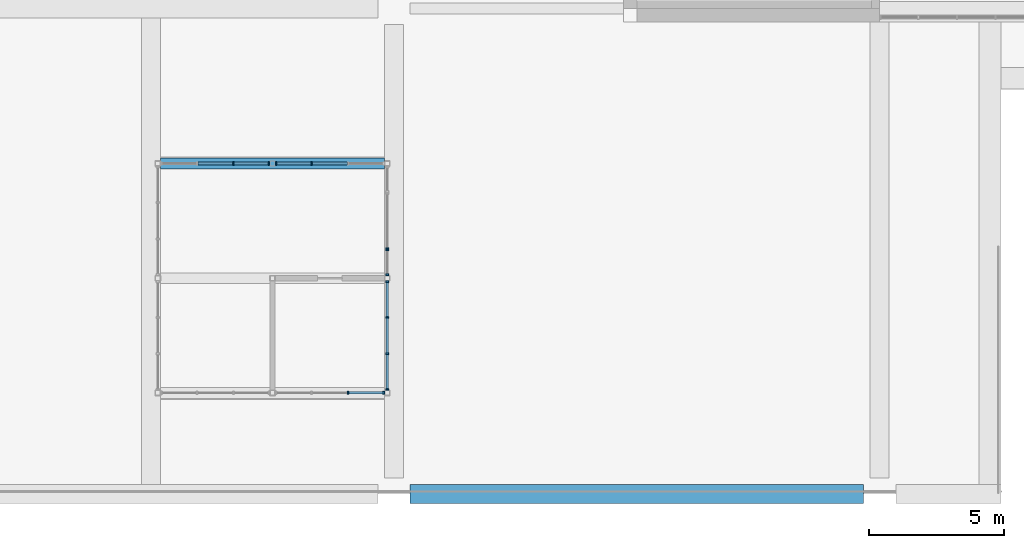
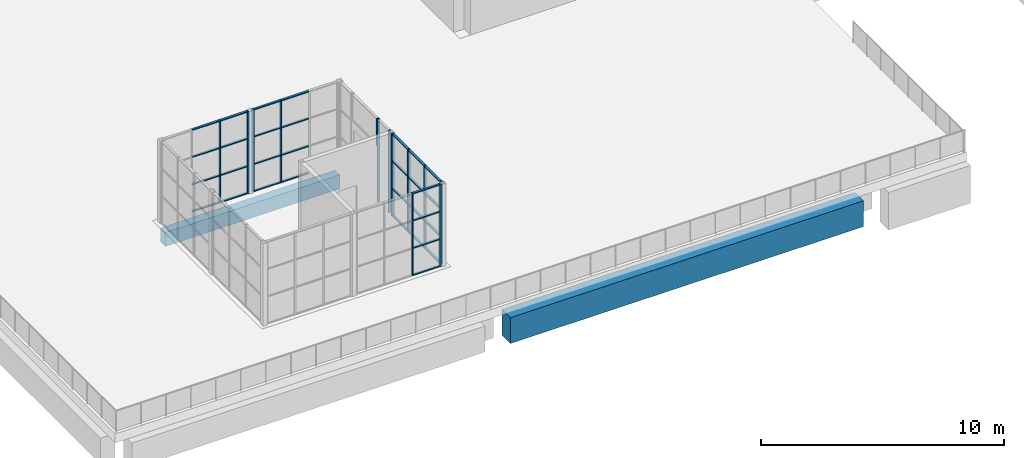
# One storey, part 14 of 168: 45 members, 2 beams, 6 elements without a shape of their own.
"""IFC4 building model written with IfcOpenShell, lengths in metres."""

from ifc_helpers import new_model, si_unit, direction, frame, origin, origin_2d, place, context, subcontext, project, spatial, rectangle, extrude, material, material_profile, profile_set, type_object, element, aggregate, save


model = new_model("IFC4")

# Units and contexts
model_context = context("Model", 3, precision=1e-05, world=origin(), true_north=direction((0.0, 1.0)))
body_context = subcontext(model_context, "Body", "Model", "MODEL_VIEW")
ifc_project = project(units=[si_unit("LENGTHUNIT", "METRE"), si_unit("AREAUNIT", "SQUARE_METRE"), si_unit("VOLUMEUNIT", "CUBIC_METRE"), si_unit("PLANEANGLEUNIT", "RADIAN"), si_unit("MASSUNIT", "GRAM", prefix="KILO")], contexts=[model_context])

# Site, building, storey
site_placement = place(None, origin())
site = spatial("IfcSite", under=ifc_project, at=site_placement, CompositionType="ELEMENT")
building_placement = place(site_placement, origin())
building = spatial("IfcBuilding", under=site, at=building_placement, Name="Silverbay Arena", CompositionType="ELEMENT")
storey_placement = place(building_placement, frame((0.0, 0.0, 7.0)))
storey = spatial("IfcBuildingStorey", under=building, at=storey_placement, Name="L01", CompositionType="ELEMENT", Elevation=7.0)

# Curtain wall, members
ifc_material_1 = material(Name="Aluminium framed curtain wall", Category="aluminium")
curtain_wall_type_1 = type_object("IfcCurtainWallType", Name="Curtain wall 4050 x 4150", PredefinedType="NOTDEFINED", material=ifc_material_1)
curtain_wall_1_placement = place(storey_placement, origin())
curtain_wall_1 = element("IfcCurtainWall", 1, at=curtain_wall_1_placement, inside=storey, type_object=curtain_wall_type_1, Name="Pavilion south curtain wall 2", PredefinedType="NOTDEFINED")
ifc_material_2 = material(Name="Aluminium", Category="aluminium")
ifc_material_profile_1 = material_profile(ifc_material_2, rectangle(XDim=0.1201171875, YDim=0.06005859375, at=origin_2d()), Name="Mullion 60 x 120")
ifc_profile_set_1 = profile_set([ifc_material_profile_1], Name="Aluminium")
member_type_1 = type_object("IfcMemberType", Name="Mullion 60 x 120", PredefinedType="MULLION", material=ifc_profile_set_1)
member_1_placement = place(storey_placement, frame((16.300048828125, 3.75, 0.0), z_axis=(0.0, 0.0, 1.0), x_axis=(0.0, 1.0, 0.0)))
member_1 = element("IfcMember", 2, at=member_1_placement, type_object=member_type_1, Name="CW21 mullion 3", PredefinedType="MULLION", context=body_context, shape_type="SweptSolid", body=[
    extrude(rectangle(XDim=0.1201171875, YDim=0.06005859375, at=origin_2d()), origin(), (0.0, 0.0, 1.0), 4.14990234375),
])
member_2_placement = place(storey_placement, frame((17.6201171875, 3.75, 0.0), z_axis=(0.0, 0.0, 1.0), x_axis=(0.0, 1.0, 0.0)))
member_2 = element("IfcMember", 3, at=member_2_placement, type_object=member_type_1, Name="CW21 mullion 4", PredefinedType="MULLION", context=body_context, shape_type="SweptSolid", body=[
    extrude(rectangle(XDim=0.1201171875, YDim=0.06005859375, at=origin_2d()), origin(), (0.0, 0.0, 1.0), 4.14990234375),
])

curtain_wall_2_placement = place(storey_placement, origin())
curtain_wall_2 = element("IfcCurtainWall", 4, at=curtain_wall_2_placement, inside=storey, type_object=curtain_wall_type_1, Name="Pavilion north curtain wall 1", PredefinedType="NOTDEFINED")
member_3_placement = place(storey_placement, frame((12.050048828125, 12.25, 0.0), z_axis=(0.0, 0.0, 1.0), x_axis=(0.0, 1.0, 0.0)))
member_3 = element("IfcMember", 5, at=member_3_placement, type_object=member_type_1, Name="CW21 mullion 3", PredefinedType="MULLION", context=body_context, shape_type="SweptSolid", body=[
    extrude(rectangle(XDim=0.1201171875, YDim=0.06005859375, at=origin_2d()), origin(), (0.0, 0.0, 1.0), 4.14990234375),
])
member_4_placement = place(storey_placement, frame((13.3701171875, 12.25, 0.0), z_axis=(0.0, 0.0, 1.0), x_axis=(0.0, 1.0, 0.0)))
member_4 = element("IfcMember", 6, at=member_4_placement, type_object=member_type_1, Name="CW21 mullion 4", PredefinedType="MULLION", context=body_context, shape_type="SweptSolid", body=[
    extrude(rectangle(XDim=0.1201171875, YDim=0.06005859375, at=origin_2d()), origin(), (0.0, 0.0, 1.0), 4.14990234375),
])

curtain_wall_3_placement = place(storey_placement, origin())
curtain_wall_3 = element("IfcCurtainWall", 7, at=curtain_wall_3_placement, inside=storey, type_object=curtain_wall_type_1, Name="Pavilion north curtain wall 2", PredefinedType="NOTDEFINED")
member_5_placement = place(storey_placement, frame((13.6298828125, 12.25, 0.0), z_axis=(0.0, 0.0, 1.0), x_axis=(0.0, 1.0, 0.0)))
member_5 = element("IfcMember", 8, at=member_5_placement, type_object=member_type_1, Name="CW21 mullion 1", PredefinedType="MULLION", context=body_context, shape_type="SweptSolid", body=[
    extrude(rectangle(XDim=0.1201171875, YDim=0.06005859375, at=origin_2d()), origin(), (0.0, 0.0, 1.0), 4.14990234375),
])
member_6_placement = place(storey_placement, frame((14.949951171875, 12.25, 0.0), z_axis=(0.0, 0.0, 1.0), x_axis=(0.0, 1.0, 0.0)))
member_6 = element("IfcMember", 9, at=member_6_placement, type_object=member_type_1, Name="CW21 mullion 2", PredefinedType="MULLION", context=body_context, shape_type="SweptSolid", body=[
    extrude(rectangle(XDim=0.1201171875, YDim=0.06005859375, at=origin_2d()), origin(), (0.0, 0.0, 1.0), 4.14990234375),
])

curtain_wall_4_placement = place(storey_placement, origin())
curtain_wall_4 = element("IfcCurtainWall", 10, at=curtain_wall_4_placement, inside=storey, type_object=curtain_wall_type_1, Name="Pavilion east curtain wall 1", PredefinedType="NOTDEFINED")
member_7_placement = place(storey_placement, frame((17.75, 3.8798828125, 0.0), z_axis=(0.0, 0.0, 1.0), x_axis=(-1.0, 0.0, 0.0)))
member_7 = element("IfcMember", 11, at=member_7_placement, type_object=member_type_1, Name="CW21 mullion 1", PredefinedType="MULLION", context=body_context, shape_type="SweptSolid", body=[
    extrude(rectangle(XDim=0.1201171875, YDim=0.06005859375, at=origin_2d()), origin(), (0.0, 0.0, 1.0), 4.14990234375),
])
member_8_placement = place(storey_placement, frame((17.75, 5.199951171875, 0.0), z_axis=(0.0, 0.0, 1.0), x_axis=(-1.0, 0.0, 0.0)))
member_8 = element("IfcMember", 12, at=member_8_placement, type_object=member_type_1, Name="CW21 mullion 2", PredefinedType="MULLION", context=body_context, shape_type="SweptSolid", body=[
    extrude(rectangle(XDim=0.1201171875, YDim=0.06005859375, at=origin_2d()), origin(), (0.0, 0.0, 1.0), 4.14990234375),
])
member_9_placement = place(storey_placement, frame((17.75, 6.550048828125, 0.0), z_axis=(0.0, 0.0, 1.0), x_axis=(-1.0, 0.0, 0.0)))
member_9 = element("IfcMember", 13, at=member_9_placement, type_object=member_type_1, Name="CW21 mullion 3", PredefinedType="MULLION", context=body_context, shape_type="SweptSolid", body=[
    extrude(rectangle(XDim=0.1201171875, YDim=0.06005859375, at=origin_2d()), origin(), (0.0, 0.0, 1.0), 4.14990234375),
])
member_10_placement = place(storey_placement, frame((17.75, 7.8701171875, 0.0), z_axis=(0.0, 0.0, 1.0), x_axis=(-1.0, 0.0, 0.0)))
member_10 = element("IfcMember", 14, at=member_10_placement, type_object=member_type_1, Name="CW21 mullion 4", PredefinedType="MULLION", context=body_context, shape_type="SweptSolid", body=[
    extrude(rectangle(XDim=0.1201171875, YDim=0.06005859375, at=origin_2d()), origin(), (0.0, 0.0, 1.0), 4.14990234375),
])

ifc_material_3 = material(Name="Aluminium framed curtain wall", Category="aluminium")
curtain_wall_type_2 = type_object("IfcCurtainWallType", Name="Curtain wall 975 x 4150", PredefinedType="NOTDEFINED", material=ifc_material_3)
curtain_wall_5_placement = place(storey_placement, origin())
curtain_wall_5 = element("IfcCurtainWall", 15, at=curtain_wall_5_placement, inside=storey, type_object=curtain_wall_type_2, Name="Pavilion east curtain wall 2", PredefinedType="NOTDEFINED")
member_11_placement = place(storey_placement, frame((17.75, 8.1298828125, 0.0), z_axis=(0.0, 0.0, 1.0), x_axis=(-1.0, 0.0, 0.0)))
member_11 = element("IfcMember", 16, at=member_11_placement, type_object=member_type_1, Name="CW22 mullion 1", PredefinedType="MULLION", context=body_context, shape_type="SweptSolid", body=[
    extrude(rectangle(XDim=0.1201171875, YDim=0.06005859375, at=origin_2d()), origin(), (0.0, 0.0, 1.0), 4.14990234375),
])
member_12_placement = place(storey_placement, frame((17.75, 9.044921875, 0.0), z_axis=(0.0, 0.0, 1.0), x_axis=(-1.0, 0.0, 0.0)))
member_12 = element("IfcMember", 17, at=member_12_placement, type_object=member_type_1, Name="CW22 mullion 2", PredefinedType="MULLION", context=body_context, shape_type="SweptSolid", body=[
    extrude(rectangle(XDim=0.1201171875, YDim=0.06005859375, at=origin_2d()), origin(), (0.0, 0.0, 1.0), 4.14990234375),
])
aggregate(curtain_wall_5, [member_11, member_12])

# Curtain wall, member
ifc_material_4 = material(Name="Aluminium framed curtain wall", Category="aluminium")
curtain_wall_type_3 = type_object("IfcCurtainWallType", Name="Curtain wall 2100 x 1350", PredefinedType="NOTDEFINED", material=ifc_material_4)
curtain_wall_6_placement = place(storey_placement, origin())
curtain_wall_6 = element("IfcCurtainWall", 18, at=curtain_wall_6_placement, inside=storey, type_object=curtain_wall_type_3, Name="Pavilion east curtain wall 4", PredefinedType="NOTDEFINED")
member_13_placement = place(storey_placement, frame((17.75, 9.10498046875, 2.800048828125), z_axis=(0.0, 0.0, 1.0), x_axis=(-1.0, 0.0, 0.0)))
member_13 = element("IfcMember", 19, at=member_13_placement, type_object=member_type_1, Name="CW23 mullion 1", PredefinedType="MULLION", context=body_context, shape_type="SweptSolid", body=[
    extrude(rectangle(XDim=0.1201171875, YDim=0.06005859375, at=origin_2d()), origin(), (0.0, 0.0, 1.0), 1.349853515625),
])
aggregate(curtain_wall_6, [member_13])

# Beams
ifc_material_5 = material(Name="Concrete Grade C45", Category="concrete")
ifc_material_profile_2 = material_profile(ifc_material_5, rectangle(XDim=0.39990234375, YDim=0.699951171875, at=origin_2d()), Name="RC 400x700")
ifc_profile_set_2 = profile_set([ifc_material_profile_2], Name="Concrete Grade C45")
beam_type_1 = type_object("IfcBeamType", Name="RC beam 400x700", PredefinedType="BEAM", material=ifc_profile_set_2)
beam_1_placement = place(storey_placement, frame((9.35009765625, 12.25, -0.800048828125), z_axis=(1.0, 0.0, 0.0), x_axis=(0.0, 1.0, 0.0)))
element("IfcBeam", 20, at=beam_1_placement, inside=storey, type_object=beam_type_1, Name="Pavilion floor beam", PredefinedType="BEAM", context=body_context, shape_type="SweptSolid", body=[
    extrude(rectangle(XDim=0.39990234375, YDim=0.699951171875, at=origin_2d()), origin(), (0.0, 0.0, 1.0), 8.2998046875),
])
ifc_material_6 = material(Name="Concrete Grade C45", Category="concrete")
ifc_material_profile_3 = material_profile(ifc_material_6, rectangle(XDim=0.699951171875, YDim=1.300048828125, at=origin_2d()), Name="RC 700x1300")
ifc_profile_set_3 = profile_set([ifc_material_profile_3], Name="Concrete Grade C45")
beam_type_2 = type_object("IfcBeamType", Name="RC girder 700x1300", PredefinedType="BEAM", material=ifc_profile_set_3)
beam_2_placement = place(storey_placement, frame((18.60009765625, 0.0, -1.10009765625), z_axis=(1.0, 0.0, 0.0), x_axis=(0.0, 1.0, 0.0)))
element("IfcBeam", 21, at=beam_2_placement, inside=storey, type_object=beam_type_2, Name="Deck girder 139", PredefinedType="BEAM", context=body_context, shape_type="SweptSolid", body=[
    extrude(rectangle(XDim=0.699951171875, YDim=1.300048828125, at=origin_2d()), origin(), (0.0, 0.0, 1.0), 16.7998046875),
])

# Member
ifc_material_7 = material(Name="Aluminium", Category="aluminium")
ifc_material_profile_4 = material_profile(ifc_material_7, rectangle(XDim=0.10009765625, YDim=0.050048828125, at=origin_2d()), Name="Transom 50 x 100")
ifc_profile_set_4 = profile_set([ifc_material_profile_4], Name="Aluminium")
member_type_2 = type_object("IfcMemberType", Name="Transom 50 x 100", PredefinedType="USERDEFINED", material=ifc_profile_set_4)
member_14_placement = place(storey_placement, frame((16.330078125, 3.75, 0.02490234375), z_axis=(1.0, 0.0, 0.0), x_axis=(0.0, 1.0, 0.0)))
member_14 = element("IfcMember", 22, at=member_14_placement, type_object=member_type_2, Name="CW21 transom 3.1", ObjectType="TRANSOM", PredefinedType="USERDEFINED", context=body_context, shape_type="SweptSolid", body=[
    extrude(rectangle(XDim=0.10009765625, YDim=0.050048828125, at=origin_2d()), origin(), (0.0, 0.0, 1.0), 1.260009765625),
])

member_15_placement = place(storey_placement, frame((16.330078125, 3.75, 1.38330078125), z_axis=(1.0, 0.0, 0.0), x_axis=(0.0, 1.0, 0.0)))
member_15 = element("IfcMember", 23, at=member_15_placement, type_object=member_type_2, Name="CW21 transom 3.2", ObjectType="TRANSOM", PredefinedType="USERDEFINED", context=body_context, shape_type="SweptSolid", body=[
    extrude(rectangle(XDim=0.10009765625, YDim=0.050048828125, at=origin_2d()), origin(), (0.0, 0.0, 1.0), 1.260009765625),
])

member_16_placement = place(storey_placement, frame((16.330078125, 3.75, 2.7666015625), z_axis=(1.0, 0.0, 0.0), x_axis=(0.0, 1.0, 0.0)))
member_16 = element("IfcMember", 24, at=member_16_placement, type_object=member_type_2, Name="CW21 transom 3.3", ObjectType="TRANSOM", PredefinedType="USERDEFINED", context=body_context, shape_type="SweptSolid", body=[
    extrude(rectangle(XDim=0.10009765625, YDim=0.050048828125, at=origin_2d()), origin(), (0.0, 0.0, 1.0), 1.260009765625),
])

member_17_placement = place(storey_placement, frame((16.330078125, 3.75, 4.125), z_axis=(1.0, 0.0, 0.0), x_axis=(0.0, 1.0, 0.0)))
member_17 = element("IfcMember", 25, at=member_17_placement, type_object=member_type_2, Name="CW21 transom 3.4", ObjectType="TRANSOM", PredefinedType="USERDEFINED", context=body_context, shape_type="SweptSolid", body=[
    extrude(rectangle(XDim=0.10009765625, YDim=0.050048828125, at=origin_2d()), origin(), (0.0, 0.0, 1.0), 1.260009765625),
])

aggregate(curtain_wall_1, [member_1, member_2, member_14, member_15, member_16, member_17])

member_18_placement = place(storey_placement, frame((10.72998046875, 12.25, 0.02490234375), z_axis=(1.0, 0.0, 0.0), x_axis=(0.0, 1.0, 0.0)))
member_18 = element("IfcMember", 26, at=member_18_placement, type_object=member_type_2, Name="CW21 transom 2.1", ObjectType="TRANSOM", PredefinedType="USERDEFINED", context=body_context, shape_type="SweptSolid", body=[
    extrude(rectangle(XDim=0.10009765625, YDim=0.050048828125, at=origin_2d()), origin(), (0.0, 0.0, 1.0), 1.2900390625),
])

member_19_placement = place(storey_placement, frame((10.72998046875, 12.25, 1.38330078125), z_axis=(1.0, 0.0, 0.0), x_axis=(0.0, 1.0, 0.0)))
member_19 = element("IfcMember", 27, at=member_19_placement, type_object=member_type_2, Name="CW21 transom 2.2", ObjectType="TRANSOM", PredefinedType="USERDEFINED", context=body_context, shape_type="SweptSolid", body=[
    extrude(rectangle(XDim=0.10009765625, YDim=0.050048828125, at=origin_2d()), origin(), (0.0, 0.0, 1.0), 1.2900390625),
])

member_20_placement = place(storey_placement, frame((10.72998046875, 12.25, 2.7666015625), z_axis=(1.0, 0.0, 0.0), x_axis=(0.0, 1.0, 0.0)))
member_20 = element("IfcMember", 28, at=member_20_placement, type_object=member_type_2, Name="CW21 transom 2.3", ObjectType="TRANSOM", PredefinedType="USERDEFINED", context=body_context, shape_type="SweptSolid", body=[
    extrude(rectangle(XDim=0.10009765625, YDim=0.050048828125, at=origin_2d()), origin(), (0.0, 0.0, 1.0), 1.2900390625),
])

member_21_placement = place(storey_placement, frame((10.72998046875, 12.25, 4.125), z_axis=(1.0, 0.0, 0.0), x_axis=(0.0, 1.0, 0.0)))
member_21 = element("IfcMember", 29, at=member_21_placement, type_object=member_type_2, Name="CW21 transom 2.4", ObjectType="TRANSOM", PredefinedType="USERDEFINED", context=body_context, shape_type="SweptSolid", body=[
    extrude(rectangle(XDim=0.10009765625, YDim=0.050048828125, at=origin_2d()), origin(), (0.0, 0.0, 1.0), 1.2900390625),
])

member_22_placement = place(storey_placement, frame((12.080078125, 12.25, 0.02490234375), z_axis=(1.0, 0.0, 0.0), x_axis=(0.0, 1.0, 0.0)))
member_22 = element("IfcMember", 30, at=member_22_placement, type_object=member_type_2, Name="CW21 transom 3.1", ObjectType="TRANSOM", PredefinedType="USERDEFINED", context=body_context, shape_type="SweptSolid", body=[
    extrude(rectangle(XDim=0.10009765625, YDim=0.050048828125, at=origin_2d()), origin(), (0.0, 0.0, 1.0), 1.260009765625),
])

member_23_placement = place(storey_placement, frame((12.080078125, 12.25, 1.38330078125), z_axis=(1.0, 0.0, 0.0), x_axis=(0.0, 1.0, 0.0)))
member_23 = element("IfcMember", 31, at=member_23_placement, type_object=member_type_2, Name="CW21 transom 3.2", ObjectType="TRANSOM", PredefinedType="USERDEFINED", context=body_context, shape_type="SweptSolid", body=[
    extrude(rectangle(XDim=0.10009765625, YDim=0.050048828125, at=origin_2d()), origin(), (0.0, 0.0, 1.0), 1.260009765625),
])

member_24_placement = place(storey_placement, frame((12.080078125, 12.25, 2.7666015625), z_axis=(1.0, 0.0, 0.0), x_axis=(0.0, 1.0, 0.0)))
member_24 = element("IfcMember", 32, at=member_24_placement, type_object=member_type_2, Name="CW21 transom 3.3", ObjectType="TRANSOM", PredefinedType="USERDEFINED", context=body_context, shape_type="SweptSolid", body=[
    extrude(rectangle(XDim=0.10009765625, YDim=0.050048828125, at=origin_2d()), origin(), (0.0, 0.0, 1.0), 1.260009765625),
])

member_25_placement = place(storey_placement, frame((12.080078125, 12.25, 4.125), z_axis=(1.0, 0.0, 0.0), x_axis=(0.0, 1.0, 0.0)))
member_25 = element("IfcMember", 33, at=member_25_placement, type_object=member_type_2, Name="CW21 transom 3.4", ObjectType="TRANSOM", PredefinedType="USERDEFINED", context=body_context, shape_type="SweptSolid", body=[
    extrude(rectangle(XDim=0.10009765625, YDim=0.050048828125, at=origin_2d()), origin(), (0.0, 0.0, 1.0), 1.260009765625),
])

aggregate(curtain_wall_2, [member_3, member_4, member_18, member_19, member_20, member_21, member_22, member_23, member_24, member_25])

member_26_placement = place(storey_placement, frame((13.659912109375, 12.25, 0.02490234375), z_axis=(1.0, 0.0, 0.0), x_axis=(0.0, 1.0, 0.0)))
member_26 = element("IfcMember", 34, at=member_26_placement, type_object=member_type_2, Name="CW21 transom 1.1", ObjectType="TRANSOM", PredefinedType="USERDEFINED", context=body_context, shape_type="SweptSolid", body=[
    extrude(rectangle(XDim=0.10009765625, YDim=0.050048828125, at=origin_2d()), origin(), (0.0, 0.0, 1.0), 1.260009765625),
])

member_27_placement = place(storey_placement, frame((13.659912109375, 12.25, 1.38330078125), z_axis=(1.0, 0.0, 0.0), x_axis=(0.0, 1.0, 0.0)))
member_27 = element("IfcMember", 35, at=member_27_placement, type_object=member_type_2, Name="CW21 transom 1.2", ObjectType="TRANSOM", PredefinedType="USERDEFINED", context=body_context, shape_type="SweptSolid", body=[
    extrude(rectangle(XDim=0.10009765625, YDim=0.050048828125, at=origin_2d()), origin(), (0.0, 0.0, 1.0), 1.260009765625),
])

member_28_placement = place(storey_placement, frame((13.659912109375, 12.25, 2.7666015625), z_axis=(1.0, 0.0, 0.0), x_axis=(0.0, 1.0, 0.0)))
member_28 = element("IfcMember", 36, at=member_28_placement, type_object=member_type_2, Name="CW21 transom 1.3", ObjectType="TRANSOM", PredefinedType="USERDEFINED", context=body_context, shape_type="SweptSolid", body=[
    extrude(rectangle(XDim=0.10009765625, YDim=0.050048828125, at=origin_2d()), origin(), (0.0, 0.0, 1.0), 1.260009765625),
])

member_29_placement = place(storey_placement, frame((13.659912109375, 12.25, 4.125), z_axis=(1.0, 0.0, 0.0), x_axis=(0.0, 1.0, 0.0)))
member_29 = element("IfcMember", 37, at=member_29_placement, type_object=member_type_2, Name="CW21 transom 1.4", ObjectType="TRANSOM", PredefinedType="USERDEFINED", context=body_context, shape_type="SweptSolid", body=[
    extrude(rectangle(XDim=0.10009765625, YDim=0.050048828125, at=origin_2d()), origin(), (0.0, 0.0, 1.0), 1.260009765625),
])

member_30_placement = place(storey_placement, frame((14.97998046875, 12.25, 0.02490234375), z_axis=(1.0, 0.0, 0.0), x_axis=(0.0, 1.0, 0.0)))
member_30 = element("IfcMember", 38, at=member_30_placement, type_object=member_type_2, Name="CW21 transom 2.1", ObjectType="TRANSOM", PredefinedType="USERDEFINED", context=body_context, shape_type="SweptSolid", body=[
    extrude(rectangle(XDim=0.10009765625, YDim=0.050048828125, at=origin_2d()), origin(), (0.0, 0.0, 1.0), 1.2900390625),
])

member_31_placement = place(storey_placement, frame((14.97998046875, 12.25, 1.38330078125), z_axis=(1.0, 0.0, 0.0), x_axis=(0.0, 1.0, 0.0)))
member_31 = element("IfcMember", 39, at=member_31_placement, type_object=member_type_2, Name="CW21 transom 2.2", ObjectType="TRANSOM", PredefinedType="USERDEFINED", context=body_context, shape_type="SweptSolid", body=[
    extrude(rectangle(XDim=0.10009765625, YDim=0.050048828125, at=origin_2d()), origin(), (0.0, 0.0, 1.0), 1.2900390625),
])

member_32_placement = place(storey_placement, frame((14.97998046875, 12.25, 2.7666015625), z_axis=(1.0, 0.0, 0.0), x_axis=(0.0, 1.0, 0.0)))
member_32 = element("IfcMember", 40, at=member_32_placement, type_object=member_type_2, Name="CW21 transom 2.3", ObjectType="TRANSOM", PredefinedType="USERDEFINED", context=body_context, shape_type="SweptSolid", body=[
    extrude(rectangle(XDim=0.10009765625, YDim=0.050048828125, at=origin_2d()), origin(), (0.0, 0.0, 1.0), 1.2900390625),
])

member_33_placement = place(storey_placement, frame((14.97998046875, 12.25, 4.125), z_axis=(1.0, 0.0, 0.0), x_axis=(0.0, 1.0, 0.0)))
member_33 = element("IfcMember", 41, at=member_33_placement, type_object=member_type_2, Name="CW21 transom 2.4", ObjectType="TRANSOM", PredefinedType="USERDEFINED", context=body_context, shape_type="SweptSolid", body=[
    extrude(rectangle(XDim=0.10009765625, YDim=0.050048828125, at=origin_2d()), origin(), (0.0, 0.0, 1.0), 1.2900390625),
])

aggregate(curtain_wall_3, [member_5, member_6, member_26, member_27, member_28, member_29, member_30, member_31, member_32, member_33])

member_34_placement = place(storey_placement, frame((17.75, 3.909912109375, 0.02490234375), z_axis=(0.0, 1.0, 0.0), x_axis=(-1.0, 0.0, 0.0)))
member_34 = element("IfcMember", 42, at=member_34_placement, type_object=member_type_2, Name="CW21 transom 1.1", ObjectType="TRANSOM", PredefinedType="USERDEFINED", context=body_context, shape_type="SweptSolid", body=[
    extrude(rectangle(XDim=0.10009765625, YDim=0.050048828125, at=origin_2d()), origin(), (0.0, 0.0, 1.0), 1.260009765625),
])

member_35_placement = place(storey_placement, frame((17.75, 3.909912109375, 1.38330078125), z_axis=(0.0, 1.0, 0.0), x_axis=(-1.0, 0.0, 0.0)))
member_35 = element("IfcMember", 43, at=member_35_placement, type_object=member_type_2, Name="CW21 transom 1.2", ObjectType="TRANSOM", PredefinedType="USERDEFINED", context=body_context, shape_type="SweptSolid", body=[
    extrude(rectangle(XDim=0.10009765625, YDim=0.050048828125, at=origin_2d()), origin(), (0.0, 0.0, 1.0), 1.260009765625),
])

member_36_placement = place(storey_placement, frame((17.75, 3.909912109375, 2.7666015625), z_axis=(0.0, 1.0, 0.0), x_axis=(-1.0, 0.0, 0.0)))
member_36 = element("IfcMember", 44, at=member_36_placement, type_object=member_type_2, Name="CW21 transom 1.3", ObjectType="TRANSOM", PredefinedType="USERDEFINED", context=body_context, shape_type="SweptSolid", body=[
    extrude(rectangle(XDim=0.10009765625, YDim=0.050048828125, at=origin_2d()), origin(), (0.0, 0.0, 1.0), 1.260009765625),
])

member_37_placement = place(storey_placement, frame((17.75, 3.909912109375, 4.125), z_axis=(0.0, 1.0, 0.0), x_axis=(-1.0, 0.0, 0.0)))
member_37 = element("IfcMember", 45, at=member_37_placement, type_object=member_type_2, Name="CW21 transom 1.4", ObjectType="TRANSOM", PredefinedType="USERDEFINED", context=body_context, shape_type="SweptSolid", body=[
    extrude(rectangle(XDim=0.10009765625, YDim=0.050048828125, at=origin_2d()), origin(), (0.0, 0.0, 1.0), 1.260009765625),
])

member_38_placement = place(storey_placement, frame((17.75, 5.22998046875, 0.02490234375), z_axis=(0.0, 1.0, 0.0), x_axis=(-1.0, 0.0, 0.0)))
member_38 = element("IfcMember", 46, at=member_38_placement, type_object=member_type_2, Name="CW21 transom 2.1", ObjectType="TRANSOM", PredefinedType="USERDEFINED", context=body_context, shape_type="SweptSolid", body=[
    extrude(rectangle(XDim=0.10009765625, YDim=0.050048828125, at=origin_2d()), origin(), (0.0, 0.0, 1.0), 1.2900390625),
])

member_39_placement = place(storey_placement, frame((17.75, 5.22998046875, 1.38330078125), z_axis=(0.0, 1.0, 0.0), x_axis=(-1.0, 0.0, 0.0)))
member_39 = element("IfcMember", 47, at=member_39_placement, type_object=member_type_2, Name="CW21 transom 2.2", ObjectType="TRANSOM", PredefinedType="USERDEFINED", context=body_context, shape_type="SweptSolid", body=[
    extrude(rectangle(XDim=0.10009765625, YDim=0.050048828125, at=origin_2d()), origin(), (0.0, 0.0, 1.0), 1.2900390625),
])

member_40_placement = place(storey_placement, frame((17.75, 5.22998046875, 2.7666015625), z_axis=(0.0, 1.0, 0.0), x_axis=(-1.0, 0.0, 0.0)))
member_40 = element("IfcMember", 48, at=member_40_placement, type_object=member_type_2, Name="CW21 transom 2.3", ObjectType="TRANSOM", PredefinedType="USERDEFINED", context=body_context, shape_type="SweptSolid", body=[
    extrude(rectangle(XDim=0.10009765625, YDim=0.050048828125, at=origin_2d()), origin(), (0.0, 0.0, 1.0), 1.2900390625),
])

member_41_placement = place(storey_placement, frame((17.75, 5.22998046875, 4.125), z_axis=(0.0, 1.0, 0.0), x_axis=(-1.0, 0.0, 0.0)))
member_41 = element("IfcMember", 49, at=member_41_placement, type_object=member_type_2, Name="CW21 transom 2.4", ObjectType="TRANSOM", PredefinedType="USERDEFINED", context=body_context, shape_type="SweptSolid", body=[
    extrude(rectangle(XDim=0.10009765625, YDim=0.050048828125, at=origin_2d()), origin(), (0.0, 0.0, 1.0), 1.2900390625),
])

member_42_placement = place(storey_placement, frame((17.75, 6.580078125, 0.02490234375), z_axis=(0.0, 1.0, 0.0), x_axis=(-1.0, 0.0, 0.0)))
member_42 = element("IfcMember", 50, at=member_42_placement, type_object=member_type_2, Name="CW21 transom 3.1", ObjectType="TRANSOM", PredefinedType="USERDEFINED", context=body_context, shape_type="SweptSolid", body=[
    extrude(rectangle(XDim=0.10009765625, YDim=0.050048828125, at=origin_2d()), origin(), (0.0, 0.0, 1.0), 1.260009765625),
])

member_43_placement = place(storey_placement, frame((17.75, 6.580078125, 1.38330078125), z_axis=(0.0, 1.0, 0.0), x_axis=(-1.0, 0.0, 0.0)))
member_43 = element("IfcMember", 51, at=member_43_placement, type_object=member_type_2, Name="CW21 transom 3.2", ObjectType="TRANSOM", PredefinedType="USERDEFINED", context=body_context, shape_type="SweptSolid", body=[
    extrude(rectangle(XDim=0.10009765625, YDim=0.050048828125, at=origin_2d()), origin(), (0.0, 0.0, 1.0), 1.260009765625),
])

member_44_placement = place(storey_placement, frame((17.75, 6.580078125, 2.7666015625), z_axis=(0.0, 1.0, 0.0), x_axis=(-1.0, 0.0, 0.0)))
member_44 = element("IfcMember", 52, at=member_44_placement, type_object=member_type_2, Name="CW21 transom 3.3", ObjectType="TRANSOM", PredefinedType="USERDEFINED", context=body_context, shape_type="SweptSolid", body=[
    extrude(rectangle(XDim=0.10009765625, YDim=0.050048828125, at=origin_2d()), origin(), (0.0, 0.0, 1.0), 1.260009765625),
])

member_45_placement = place(storey_placement, frame((17.75, 6.580078125, 4.125), z_axis=(0.0, 1.0, 0.0), x_axis=(-1.0, 0.0, 0.0)))
member_45 = element("IfcMember", 53, at=member_45_placement, type_object=member_type_2, Name="CW21 transom 3.4", ObjectType="TRANSOM", PredefinedType="USERDEFINED", context=body_context, shape_type="SweptSolid", body=[
    extrude(rectangle(XDim=0.10009765625, YDim=0.050048828125, at=origin_2d()), origin(), (0.0, 0.0, 1.0), 1.260009765625),
])

aggregate(curtain_wall_4, [member_7, member_8, member_9, member_10, member_34, member_35, member_36, member_37, member_38, member_39, member_40, member_41, member_42, member_43, member_44, member_45])

save(model, "model.ifc")
